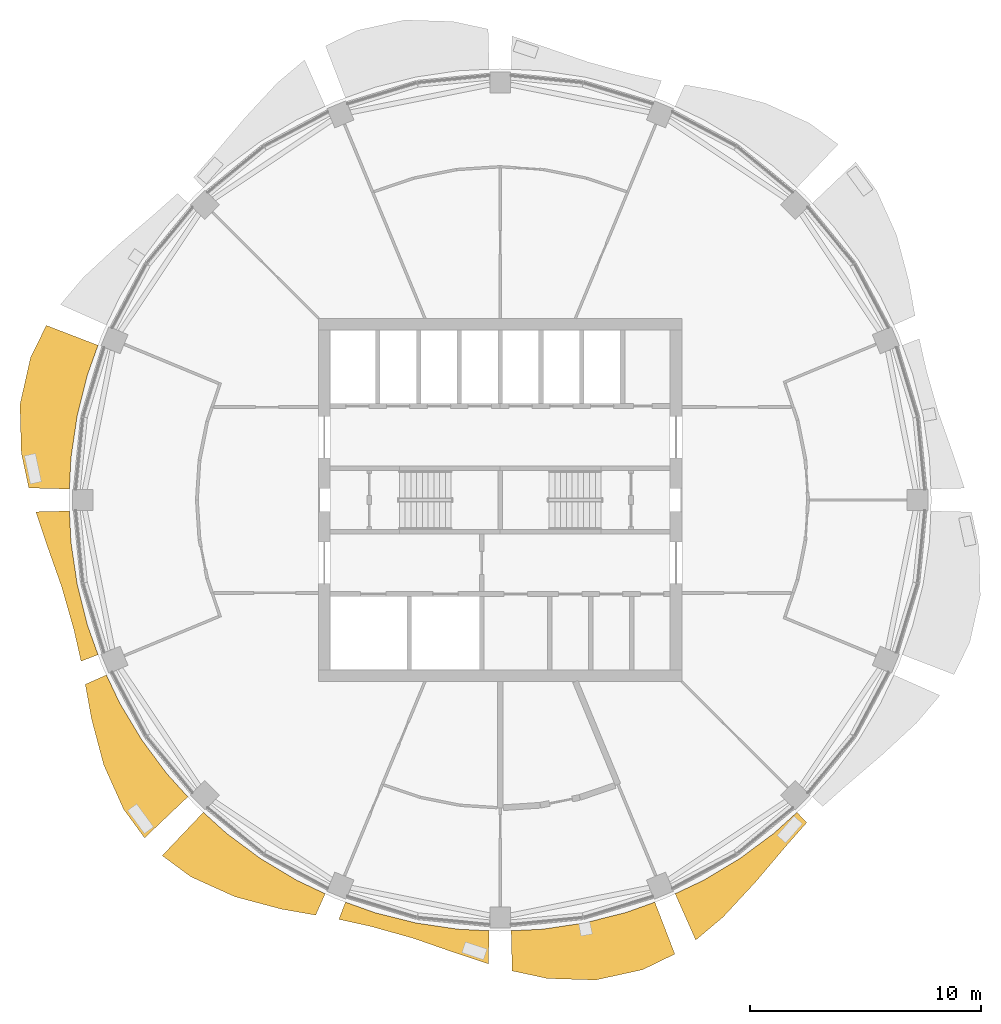
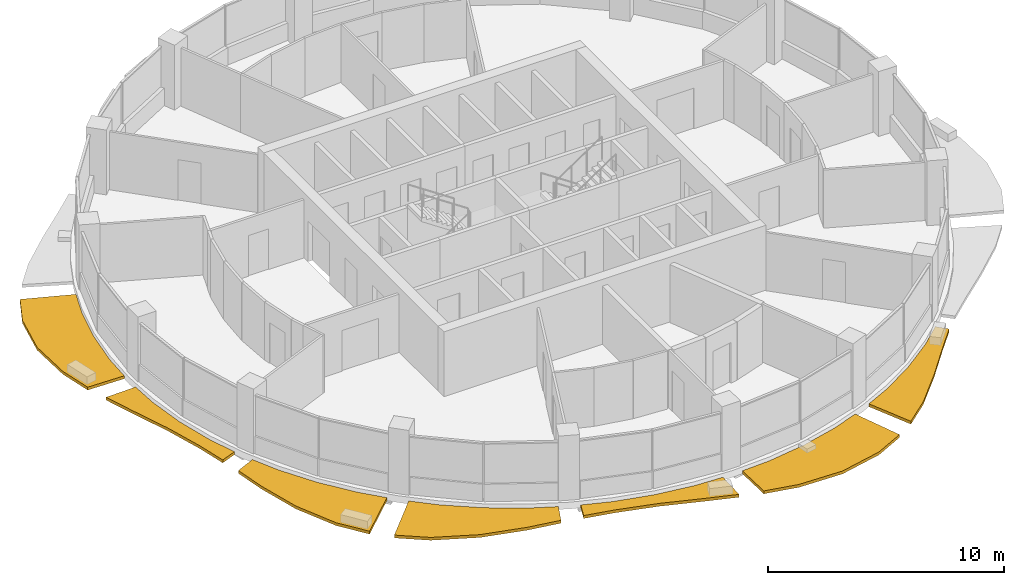
# One storey, part 12 of 15: 7 shading devices.
"""IFC4 building model written with IfcOpenShell, lengths in metres."""

from ifc_helpers import new_model, si_unit, direction, frame, origin, place, context, subcontext, project, spatial, polyline, outline, extrude, material, type_object, element, save


model = new_model("IFC4")

# Units and contexts
model_context = context("Model", 3, precision=1e-05, world=origin(), true_north=direction((0.0, 1.0)))
body_context = subcontext(model_context, "Body", "Model", "MODEL_VIEW")
ifc_project = project(units=[si_unit("LENGTHUNIT", "METRE"), si_unit("AREAUNIT", "SQUARE_METRE"), si_unit("VOLUMEUNIT", "CUBIC_METRE"), si_unit("PLANEANGLEUNIT", "RADIAN"), si_unit("MASSUNIT", "GRAM", prefix="KILO")], contexts=[model_context])

# Site, building, storey
site_placement = place(None, origin())
site = spatial("IfcSite", under=ifc_project, at=site_placement, CompositionType="ELEMENT")
building_placement = place(site_placement, origin())
building = spatial("IfcBuilding", under=site, at=building_placement, Name="Polderwave Tower", CompositionType="ELEMENT")
storey_placement = place(building_placement, frame((0.0, 0.0, 170.89990234375)))
storey = spatial("IfcBuildingStorey", under=building, at=storey_placement, Name="L45", CompositionType="ELEMENT", Elevation=170.89990234375)

# Shading devices
ifc_material = material(Name="Terracotta", Category="masonry")
shading_device_type = type_object("IfcShadingDeviceType", Name="Terracotta sunshade band", PredefinedType="USERDEFINED", material=ifc_material)
shading_device_1_placement = place(storey_placement, frame((0.0, 0.0, -0.349853515625)))
element("IfcShadingDevice", 1, at=shading_device_1_placement, inside=storey, type_object=shading_device_type, Name="Sunshade band L45 8", ObjectType="SUNSHADE", PredefinedType="USERDEFINED", context=body_context, shape_type="SweptSolid", body=[
    extrude(outline(polyline([(-17.437255859375, 6.707275390625), (-17.894775390625, 5.42822265625), (-18.3408203125, 3.648193359375), (-18.610107421875, 1.8330078125), (-18.676513671875, 0.476318359375), (-20.43798828125, 0.52099609375), (-20.76318359375, 2.044921875), (-20.819580078125, 4.141357421875), (-20.362548828125, 6.177001953125), (-19.677978515625, 7.569091796875), (-17.437255859375, 6.707275390625)])), origin(), (0.0, 0.0, 1.0), 0.14990234375),
])
shading_device_2_placement = place(storey_placement, frame((0.0, 0.0, -0.349853515625)))
element("IfcShadingDevice", 2, at=shading_device_2_placement, inside=storey, type_object=shading_device_type, Name="Sunshade band L45 9", ObjectType="SUNSHADE", PredefinedType="USERDEFINED", context=body_context, shape_type="SweptSolid", body=[
    extrude(outline(polyline([(-18.676513671875, -0.476318359375), (-18.610107421875, -1.8330078125), (-18.3408203125, -3.648193359375), (-17.894775390625, -5.42822265625), (-17.437255859375, -6.707275390625), (-18.17236328125, -6.989990234375), (-18.485595703125, -5.607421875), (-19.007568359375, -3.78076171875), (-19.657470703125, -1.93603515625), (-20.13330078125, -0.51318359375), (-18.676513671875, -0.476318359375)])), origin(), (0.0, 0.0, 1.0), 0.14990234375),
])
shading_device_3_placement = place(storey_placement, frame((0.0, 0.0, -0.349853515625)))
element("IfcShadingDevice", 3, at=shading_device_3_placement, inside=storey, type_object=shading_device_type, Name="Sunshade band L45 10", ObjectType="SUNSHADE", PredefinedType="USERDEFINED", context=body_context, shape_type="SweptSolid", body=[
    extrude(outline(polyline([(-17.07275390625, -7.587158203125), (-16.491943359375, -8.815185546875), (-15.548583984375, -10.38916015625), (-14.455322265625, -11.86328125), (-13.543212890625, -12.86962890625), (-15.418212890625, -14.651611328125), (-16.330810546875, -13.402099609375), (-17.189697265625, -11.485595703125), (-17.72265625, -9.472900390625), (-17.987548828125, -7.99365234375), (-17.07275390625, -7.587158203125)])), origin(), (0.0, 0.0, 1.0), 0.14990234375),
])
shading_device_4_placement = place(storey_placement, frame((0.0, 0.0, -0.349853515625)))
element("IfcShadingDevice", 4, at=shading_device_4_placement, inside=storey, type_object=shading_device_type, Name="Sunshade band L45 11", ObjectType="SUNSHADE", PredefinedType="USERDEFINED", context=body_context, shape_type="SweptSolid", body=[
    extrude(outline(polyline([(-12.86962890625, -13.543212890625), (-11.86328125, -14.455322265625), (-10.38916015625, -15.548583984375), (-8.815185546875, -16.491943359375), (-7.587158203125, -17.07275390625), (-8.0, -18.001708984375), (-9.48193359375, -17.7392578125), (-11.49560546875, -17.204345703125), (-13.408935546875, -16.339111328125), (-14.653564453125, -15.42041015625), (-12.86962890625, -13.543212890625)])), origin(), (0.0, 0.0, 1.0), 0.14990234375),
])
shading_device_5_placement = place(storey_placement, frame((0.0, 0.0, -0.349853515625)))
element("IfcShadingDevice", 5, at=shading_device_5_placement, inside=storey, type_object=shading_device_type, Name="Sunshade band L45 12", ObjectType="SUNSHADE", PredefinedType="USERDEFINED", context=body_context, shape_type="SweptSolid", body=[
    extrude(outline(polyline([(-6.707275390625, -17.437255859375), (-5.42822265625, -17.894775390625), (-3.648193359375, -18.3408203125), (-1.8330078125, -18.610107421875), (-0.476318359375, -18.676513671875), (-0.5126953125, -20.1142578125), (-1.9345703125, -19.641357421875), (-3.779296875, -19.000244140625), (-5.608642578125, -18.4892578125), (-6.994140625, -18.18310546875), (-6.707275390625, -17.437255859375)])), origin(), (0.0, 0.0, 1.0), 0.14990234375),
])
shading_device_6_placement = place(storey_placement, frame((0.0, 0.0, -0.349853515625)))
element("IfcShadingDevice", 6, at=shading_device_6_placement, inside=storey, type_object=shading_device_type, Name="Sunshade band L45 13", ObjectType="SUNSHADE", PredefinedType="USERDEFINED", context=body_context, shape_type="SweptSolid", body=[
    extrude(outline(polyline([(0.476318359375, -18.676513671875), (1.8330078125, -18.610107421875), (3.648193359375, -18.3408203125), (5.42822265625, -17.894775390625), (6.707275390625, -17.437255859375), (7.5732421875, -19.688720703125), (6.177978515625, -20.3662109375), (4.139892578125, -20.8125), (2.04345703125, -20.7470703125), (0.5205078125, -20.418701171875), (0.476318359375, -18.676513671875)])), origin(), (0.0, 0.0, 1.0), 0.14990234375),
])
shading_device_7_placement = place(storey_placement, frame((0.0, 0.0, -0.349853515625)))
element("IfcShadingDevice", 7, at=shading_device_7_placement, inside=storey, type_object=shading_device_type, Name="Sunshade band L45 14", ObjectType="SUNSHADE", PredefinedType="USERDEFINED", context=body_context, shape_type="SweptSolid", body=[
    extrude(outline(polyline([(7.587158203125, -17.07275390625), (8.815185546875, -16.491943359375), (10.38916015625, -15.548583984375), (11.86328125, -14.455322265625), (12.86962890625, -13.543212890625), (13.2919921875, -13.987548828125), (12.35400390625, -15.0537109375), (11.0703125, -16.568115234375), (9.665771484375, -18.08349609375), (8.47998046875, -19.08203125), (7.587158203125, -17.07275390625)])), origin(), (0.0, 0.0, 1.0), 0.14990234375),
])

save(model, "model.ifc")
